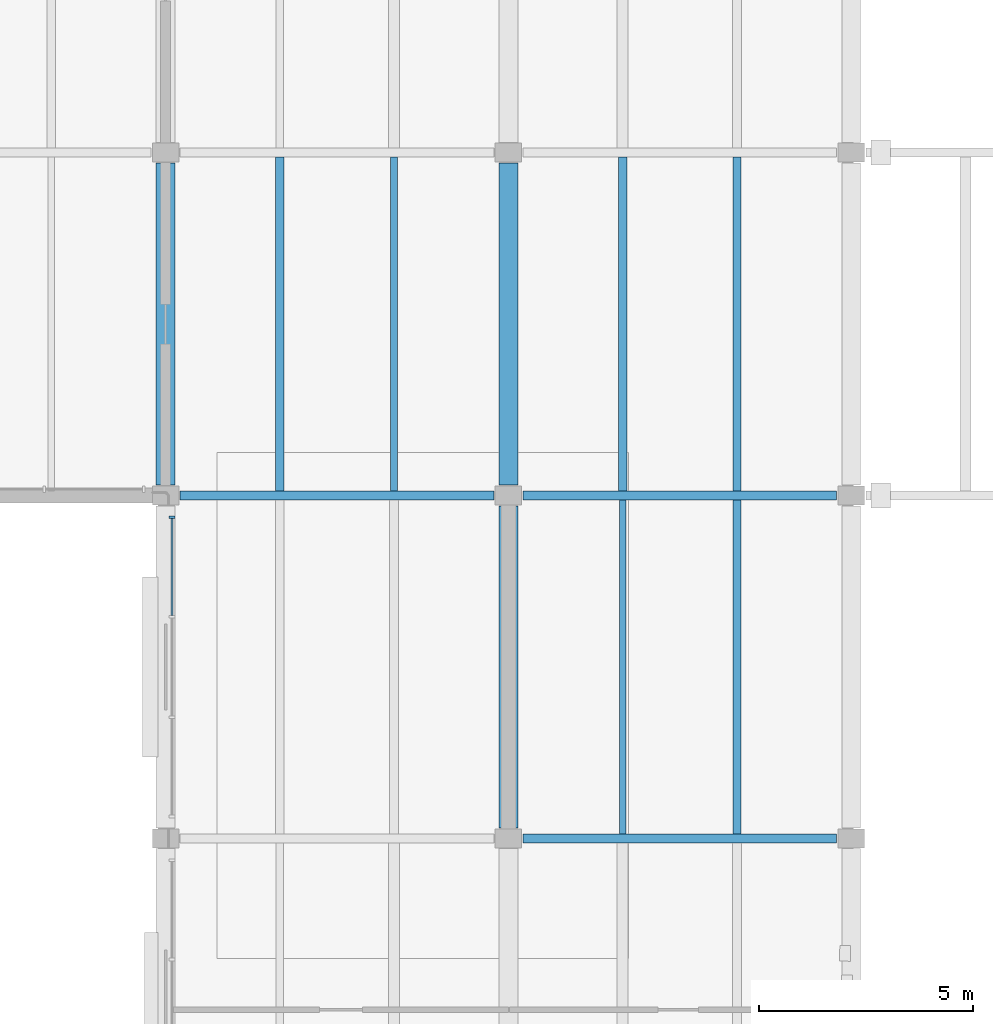
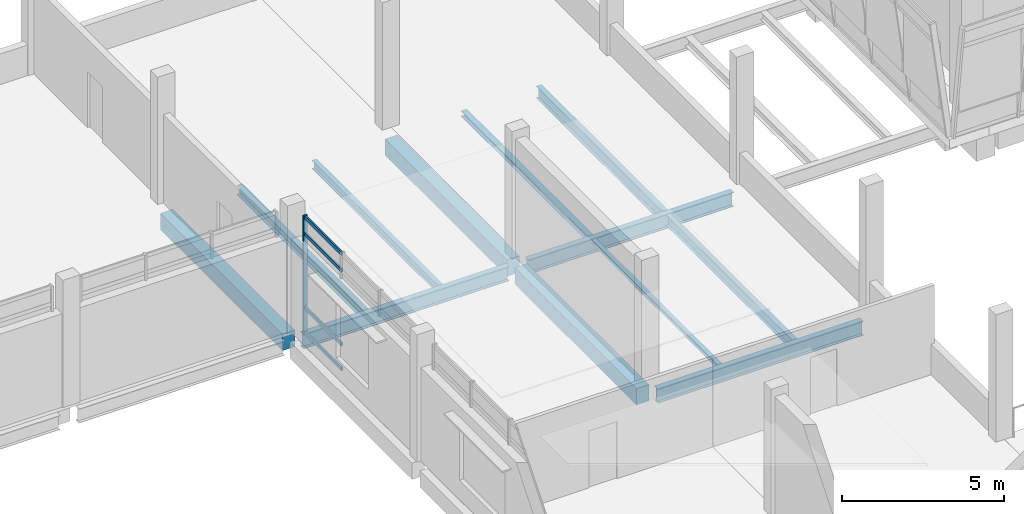
# One storey, part 8 of 52: 12 beams, 5 members, 1 element without a shape of its own.
"""IFC4 building model written with IfcOpenShell, lengths in metres."""

import ifcopenshell
import ifcopenshell.guid

model = None  # the IFC model being written
_history = None  # IfcOwnerHistory: only IFC2X3 demands one
_inside = {}  # id of a spatial element -> (the spatial element, [elements in it])
_under = {}  # id of a project, library or spatial element -> (it, [spatial elements below it])
_declared = {}  # id of a project -> (the project, [libraries it declares])
_typed = {}  # id of a type object -> (the type object, [elements of that type])
_made_of = {}  # id of a material, layer set ... -> (it, [elements and type objects made of it])


def new_model(schema):
    """Start an empty IFC model of exactly this schema.

    Asked for "IFC4X3", IfcOpenShell would pick the latest addendum, in which some entities
    have other attributes; the version numbers below select the first issue.
    IFC2X3 requires an IfcOwnerHistory on every rooted entity: one is made here for all.
    """
    global model, _history
    if schema == "IFC4X3":
        model = ifcopenshell.file(schema_version=(4, 3, 0, 0))
    else:
        model = ifcopenshell.file(schema=schema)
    _inside.clear()
    _under.clear()
    _declared.clear()
    _typed.clear()
    _made_of.clear()
    _history = None
    if model.schema == "IFC2X3":
        org = make("IfcOrganization", Name="unknown")
        user = make(
            "IfcPersonAndOrganization",
            ThePerson=make("IfcPerson", FamilyName="unknown"),
            TheOrganization=org,
        )
        app = make(
            "IfcApplication",
            ApplicationDeveloper=org,
            Version="unknown",
            ApplicationFullName="unknown",
            ApplicationIdentifier="unknown",
        )
        _history = make(
            "IfcOwnerHistory",
            OwningUser=user,
            OwningApplication=app,
            ChangeAction="ADDED",
            CreationDate=0,
        )
    return model


def make(cls, **values):
    """One entity of the class cls with the attributes given. An attribute that is None is left unset."""
    return model.create_entity(
        cls, **{name: value for name, value in values.items() if value is not None}
    )


def rooted(cls, **values):
    """An entity with a GlobalId (a new one), such as an element, a storey or a relation."""
    return make(cls, GlobalId=ifcopenshell.guid.new(), OwnerHistory=_history, **values)


def si_unit(unit_type, name, prefix=None):
    """IfcSIUnit, for example si_unit("LENGTHUNIT", "METRE", prefix="MILLI")."""
    return make("IfcSIUnit", UnitType=unit_type, Prefix=prefix, Name=name)


def assignment(units):
    """IfcUnitAssignment: the units of a project."""
    return None if units is None else make("IfcUnitAssignment", Units=units)


def point(xyz):
    """IfcCartesianPoint."""
    return None if xyz is None else make("IfcCartesianPoint", Coordinates=xyz)


def direction(xyz):
    """IfcDirection."""
    return None if xyz is None else make("IfcDirection", DirectionRatios=xyz)


def frame(location, z_axis=None, x_axis=None):
    """IfcAxis2Placement3D, a coordinate frame: its origin and axes. An axis left out is left unset."""
    return make(
        "IfcAxis2Placement3D",
        Location=point(location),
        Axis=direction(z_axis),
        RefDirection=direction(x_axis),
    )


def frame_2d(location, x_axis=None):
    """IfcAxis2Placement2D, a coordinate frame in the plane: its origin and x axis."""
    return make(
        "IfcAxis2Placement2D", Location=point(location), RefDirection=direction(x_axis)
    )


def origin():
    """The frame at (0, 0, 0) with its axes left unset."""
    return frame((0.0, 0.0, 0.0))


def origin_2d():
    """The frame at (0, 0) in the plane with its x axis left unset."""
    return frame_2d((0.0, 0.0))


def place(relative_to, where):
    """IfcLocalPlacement: puts the frame where relative to a parent placement (None: the world)."""
    return make(
        "IfcLocalPlacement", PlacementRelTo=relative_to, RelativePlacement=where
    )


def context(
    kind, dimensions, precision=None, world=None, true_north=None, identifier=None
):
    """IfcGeometricRepresentationContext, for example the 3D "Model" context."""
    return make(
        "IfcGeometricRepresentationContext",
        ContextIdentifier=identifier,
        ContextType=kind,
        CoordinateSpaceDimension=dimensions,
        Precision=precision,
        WorldCoordinateSystem=world,
        TrueNorth=true_north,
    )


def subcontext(parent, identifier, kind, view, scale=None):
    """IfcGeometricRepresentationSubContext, for example "Body" below "Model"."""
    return make(
        "IfcGeometricRepresentationSubContext",
        ContextIdentifier=identifier,
        ContextType=kind,
        ParentContext=parent,
        TargetScale=scale,
        TargetView=view,
    )


def project(units=None, contexts=None):
    """IfcProject with its units and contexts."""
    return rooted(
        "IfcProject",
        Name="project",
        RepresentationContexts=contexts,
        UnitsInContext=assignment(units),
    )


def spatial(cls, under=None, at=None, **own):
    """A site, building, storey or space (cls), placed at a placement, below another one or the project."""
    s = rooted(cls, ObjectPlacement=at, **own)
    if under is not None:
        _under.setdefault(under.id(), (under, []))[1].append(s)
    return s


def profile(cls, at=None, kind="AREA", **sizes):
    """A parametric profile (cls). Its sizes go by their IFC names, for example OverallWidth=200.0."""
    return make(cls, ProfileType=kind, Position=at, **sizes)


def rectangle(**sizes):
    """IfcRectangleProfileDef."""
    return profile("IfcRectangleProfileDef", **sizes)


def i_section(**sizes):
    """IfcIShapeProfileDef."""
    return profile("IfcIShapeProfileDef", **sizes)


def extrude(swept, where, along, depth):
    """IfcExtrudedAreaSolid: the profile swept, set in the frame where, extruded along a direction by depth."""
    return make(
        "IfcExtrudedAreaSolid",
        SweptArea=swept,
        Position=where,
        ExtrudedDirection=direction(along),
        Depth=depth,
    )


def shape(context_of_items, identifier, shape_type, items):
    """IfcShapeRepresentation: the items that make up one representation, for example the "Body"."""
    return make(
        "IfcShapeRepresentation",
        ContextOfItems=context_of_items,
        RepresentationIdentifier=identifier,
        RepresentationType=shape_type,
        Items=items,
    )


def material(Name=None, Category=None):
    """IfcMaterial."""
    return make("IfcMaterial", Name=Name, Category=Category)


def material_profile(
    of_material, cross_section, Name=None, Category=None, Priority=None
):
    """IfcMaterialProfile: a cross section and its material."""
    return make(
        "IfcMaterialProfile",
        Name=Name,
        Material=of_material,
        Profile=cross_section,
        Priority=Priority,
        Category=Category,
    )


def profile_set(profiles, Name=None, composite=None):
    """IfcMaterialProfileSet."""
    return make(
        "IfcMaterialProfileSet",
        Name=Name,
        MaterialProfiles=profiles,
        CompositeProfile=composite,
    )


def made_of(thing, what):
    """Note that an element or type object is made of a material, layer set ...; save() writes the relation."""
    if what is not None:
        _made_of.setdefault(what.id(), (what, []))[1].append(thing)
    return thing


def type_object(cls, material=None, **own):
    """A type object (cls), such as IfcWallType, which elements share."""
    return made_of(rooted(cls, **own), material)


def element(
    cls,
    number,
    at=None,
    inside=None,
    cuts=None,
    type_object=None,
    material=None,
    context=None,
    identifier="Body",
    shape_type=None,
    held_by="IfcProductDefinitionShape",
    body=None,
    shapes=None,
    **own,
):
    """One element of the class cls, such as IfcWall. Its Tag is "e" and its number.

    at: its placement. inside: the storey or other place that contains it. cuts: it is an
    opening in that element (IfcRelVoidsElement). A single representation is given by context,
    identifier, shape_type and body (its items); several are given by shapes. held_by: the class
    of the entity that holds the representations. save() writes the other relations.
    """
    e = rooted(cls, Tag="e%d" % number, ObjectPlacement=at, **own)
    if body is not None:
        shapes = [shape(context, identifier, shape_type, body)]
    if shapes is not None:
        e.Representation = make(held_by, Representations=shapes)
    if inside is not None:
        _inside.setdefault(inside.id(), (inside, []))[1].append(e)
    if cuts is not None:
        rooted(
            "IfcRelVoidsElement", RelatingBuildingElement=cuts, RelatedOpeningElement=e
        )
    if type_object is not None:
        _typed.setdefault(type_object.id(), (type_object, []))[1].append(e)
    return made_of(e, material)


def aggregate(whole, parts):
    """IfcRelAggregates: a whole, such as a stair, and the parts it consists of."""
    return rooted("IfcRelAggregates", RelatingObject=whole, RelatedObjects=parts)


def save(model, path):
    """Write the relations noted so far, then the file.

    IfcRelAggregates (storeys below a building ...), IfcRelContainedInSpatialStructure (elements
    in a storey), IfcRelDefinesByType, IfcRelAssociatesMaterial and IfcRelDeclares: one each for
    every whole, place, type object, material and project.
    """
    for whole, parts in _under.values():
        aggregate(whole, parts)
    for where, things in _inside.values():
        rooted(
            "IfcRelContainedInSpatialStructure",
            RelatedElements=things,
            RelatingStructure=where,
        )
    for kind, things in _typed.values():
        rooted("IfcRelDefinesByType", RelatedObjects=things, RelatingType=kind)
    for what, things in _made_of.values():
        rooted("IfcRelAssociatesMaterial", RelatedObjects=things, RelatingMaterial=what)
    for by, libraries in _declared.values():
        rooted("IfcRelDeclares", RelatingContext=by, RelatedDefinitions=libraries)
    model.write(path)


model = new_model("IFC4")

# Units and contexts
model_context = context("Model", 3, precision=1e-05, world=origin(), true_north=direction((0.0, 1.0)))
body_context = subcontext(model_context, "Body", "Model", "MODEL_VIEW")
ifc_project = project(units=[si_unit("LENGTHUNIT", "METRE"), si_unit("AREAUNIT", "SQUARE_METRE"), si_unit("VOLUMEUNIT", "CUBIC_METRE"), si_unit("PLANEANGLEUNIT", "RADIAN"), si_unit("MASSUNIT", "GRAM", prefix="KILO")], contexts=[model_context])

# Site, building, storey
site_placement = place(None, origin())
site = spatial("IfcSite", under=ifc_project, at=site_placement, CompositionType="ELEMENT")
building_placement = place(site_placement, origin())
building = spatial("IfcBuilding", under=site, at=building_placement, Name="Pecanmere Concourse Central Library", CompositionType="ELEMENT")
storey_placement = place(building_placement, frame((0.0, 0.0, 10.5)))
storey = spatial("IfcBuildingStorey", under=building, at=storey_placement, Name="L03", CompositionType="ELEMENT", Elevation=10.5)

# Curtain wall, members
ifc_material_1 = material(Name="Clear anodized aluminium alloy 6063-T6", Category="aluminium")
curtain_wall_type = type_object("IfcCurtainWallType", Name="CW_CLOISTER_GLAZ", PredefinedType="USERDEFINED", material=ifc_material_1)
curtain_wall_placement = place(storey_placement, origin())
curtain_wall = element("IfcCurtainWall", 1, at=curtain_wall_placement, inside=storey, type_object=curtain_wall_type, Name="Unitised Curtain Wall CW-04 L03-134", ObjectType="UNITISED CURTAIN WALL", PredefinedType="USERDEFINED")
ifc_material_2 = material(Name="Clear anodized aluminium alloy 6063-T6", Category="aluminium")
ifc_material_profile_1 = material_profile(ifc_material_2, rectangle(XDim=0.06005859375, YDim=0.14990234375, at=origin_2d()), Name="AL 60x150")
ifc_profile_set_1 = profile_set([ifc_material_profile_1], Name="Clear anodized aluminium alloy 6063-T6")
member_type_1 = type_object("IfcMemberType", Name="CWM_150x60", PredefinedType="MULLION", material=ifc_profile_set_1)
member_1_placement = place(storey_placement, frame((48.14990234375, 89.489990234375, 0.0), z_axis=(0.0, 0.0, 1.0), x_axis=(0.0, -1.0, 0.0)))
member_1 = element("IfcMember", 2, at=member_1_placement, type_object=member_type_1, Name="CW-04 Mullion 1", PredefinedType="MULLION", context=body_context, shape_type="SweptSolid", body=[
    extrude(rectangle(XDim=0.06005859375, YDim=0.14990234375, at=origin_2d()), origin(), (0.0, 0.0, 1.0), 4.47998046875),
])
ifc_material_3 = material(Name="Clear anodized aluminium alloy 6063-T6", Category="aluminium")
ifc_material_profile_2 = material_profile(ifc_material_3, rectangle(XDim=0.054931640625, YDim=0.139892578125, at=origin_2d()), Name="AL 55x140")
ifc_profile_set_2 = profile_set([ifc_material_profile_2], Name="Clear anodized aluminium alloy 6063-T6")
member_type_2 = type_object("IfcMemberType", Name="CWT_140x55", PredefinedType="USERDEFINED", material=ifc_profile_set_2)
member_2_placement = place(storey_placement, frame((48.14990234375, 89.4599609375, 0.070068359375), z_axis=(0.0, -1.0, 0.0), x_axis=(1.0, 0.0, 0.0)))
member_2 = element("IfcMember", 3, at=member_2_placement, type_object=member_type_2, Name="CW-04 Transom 1.1", ObjectType="TRANSOM", PredefinedType="USERDEFINED", context=body_context, shape_type="SweptSolid", body=[
    extrude(rectangle(XDim=0.054931640625, YDim=0.139892578125, at=origin_2d()), origin(), (0.0, 0.0, 1.0), 2.256591796875),
])
member_3_placement = place(storey_placement, frame((48.14990234375, 89.4599609375, 1.0), z_axis=(0.0, -1.0, 0.0), x_axis=(1.0, 0.0, 0.0)))
member_3 = element("IfcMember", 4, at=member_3_placement, type_object=member_type_2, Name="CW-04 Transom 1.2", ObjectType="TRANSOM", PredefinedType="USERDEFINED", context=body_context, shape_type="SweptSolid", body=[
    extrude(rectangle(XDim=0.054931640625, YDim=0.139892578125, at=origin_2d()), origin(), (0.0, 0.0, 1.0), 2.256591796875),
])
member_4_placement = place(storey_placement, frame((48.14990234375, 89.4599609375, 3.780029296875), z_axis=(0.0, -1.0, 0.0), x_axis=(1.0, 0.0, 0.0)))
member_4 = element("IfcMember", 5, at=member_4_placement, type_object=member_type_2, Name="CW-04 Transom 1.3", ObjectType="TRANSOM", PredefinedType="USERDEFINED", context=body_context, shape_type="SweptSolid", body=[
    extrude(rectangle(XDim=0.054931640625, YDim=0.139892578125, at=origin_2d()), origin(), (0.0, 0.0, 1.0), 2.256591796875),
])
member_5_placement = place(storey_placement, frame((48.14990234375, 89.4599609375, 4.409912109375), z_axis=(0.0, -1.0, 0.0), x_axis=(1.0, 0.0, 0.0)))
member_5 = element("IfcMember", 6, at=member_5_placement, type_object=member_type_2, Name="CW-04 Transom 1.4", ObjectType="TRANSOM", PredefinedType="USERDEFINED", context=body_context, shape_type="SweptSolid", body=[
    extrude(rectangle(XDim=0.054931640625, YDim=0.139892578125, at=origin_2d()), origin(), (0.0, 0.0, 1.0), 2.256591796875),
])
aggregate(curtain_wall, [member_1, member_2, member_3, member_4, member_5])

# Beams
ifc_material_4 = material(Name="Concrete C40/50", Category="concrete")
ifc_material_profile_3 = material_profile(ifc_material_4, rectangle(XDim=0.43994140625, YDim=0.6201171875, at=origin_2d()), Name="RC 440x620")
ifc_profile_set_3 = profile_set([ifc_material_profile_3], Name="Concrete C40/50")
beam_type_1 = type_object("IfcBeamType", Name="GRD_440x620", PredefinedType="USERDEFINED", material=ifc_profile_set_3)
for number, where, z_axis, x_axis, name in (
    (7, (48.0, 90.239990234375, -0.64990234375), (0.0, 1.0, 0.0), (-1.0, 0.0, 0.0), "Primary Girder Y L03-1706"),
    (8, (56.0, 82.239990234375, -0.64990234375), (0.0, 1.0, 0.0), (-1.0, 0.0, 0.0), "Primary Girder Y L03-1712"),
    (9, (56.0, 90.239990234375, -0.64990234375), (0.0, 1.0, 0.0), (-1.0, 0.0, 0.0), "Primary Girder Y L03-1713"),
):
    element("IfcBeam", number, at=place(storey_placement, frame(where, z_axis=z_axis, x_axis=x_axis)), inside=storey, type_object=beam_type_1, Name=name, ObjectType="GIRDER", PredefinedType="USERDEFINED", context=body_context, shape_type="SweptSolid", body=[
        extrude(rectangle(XDim=0.43994140625, YDim=0.6201171875, at=origin_2d()), origin(), (0.0, 0.0, 1.0), 7.52001953125),
    ])
ifc_material_5 = material(Name="Structural steel ASTM A992 Grade 50", Category="steel")
ifc_material_profile_4 = material_profile(ifc_material_5, i_section(OverallWidth=0.152099609375, OverallDepth=0.152099609375, WebThickness=0.005859375, FlangeThickness=0.006591796875, at=origin_2d()), Name="W150x22.5")
ifc_profile_set_4 = profile_set([ifc_material_profile_4], Name="Structural steel ASTM A992 Grade 50")
beam_type_2 = type_object("IfcBeamType", Name="SBM_W150x22", PredefinedType="LINTEL", material=ifc_profile_set_4)
beam_1_placement = place(storey_placement, frame((58.666748046875, 82.10546875, -0.416015625), z_axis=(0.0, 1.0, 0.0), x_axis=(-1.0, 0.0, 0.0)))
element("IfcBeam", 10, at=beam_1_placement, inside=storey, type_object=beam_type_2, Name="Secondary Floor Joist L03-1926", PredefinedType="LINTEL", context=body_context, shape_type="SweptSolid", body=[
    extrude(i_section(OverallWidth=0.152099609375, OverallDepth=0.152099609375, WebThickness=0.005859375, FlangeThickness=0.006591796875, at=origin_2d()), origin(), (0.0, 0.0, 1.0), 7.7890625),
])
ifc_material_6 = material(Name="Structural steel ASTM A992 Grade 50", Category="steel")
ifc_material_profile_5 = material_profile(ifc_material_6, i_section(OverallWidth=0.2041015625, OverallDepth=0.2060546875, WebThickness=0.0078125, FlangeThickness=0.0126953125, at=origin_2d()), Name="W200x52")
ifc_profile_set_5 = profile_set([ifc_material_profile_5], Name="Structural steel ASTM A992 Grade 50")
beam_type_3 = type_object("IfcBeamType", Name="SBM_W200x52", PredefinedType="JOIST", material=ifc_profile_set_5)
beam_2_placement = place(storey_placement, frame((58.666748046875, 90.10546875, -0.443115234375), z_axis=(0.0, 1.0, 0.0), x_axis=(-1.0, 0.0, 0.0)))
element("IfcBeam", 11, at=beam_2_placement, inside=storey, type_object=beam_type_3, Name="Secondary Floor Joist L03-1928", PredefinedType="JOIST", context=body_context, shape_type="SweptSolid", body=[
    extrude(i_section(OverallWidth=0.2041015625, OverallDepth=0.2060546875, WebThickness=0.0078125, FlangeThickness=0.0126953125, at=origin_2d()), origin(), (0.0, 0.0, 1.0), 7.7890625),
])
ifc_material_7 = material(Name="Structural steel ASTM A992 Grade 50", Category="steel")
ifc_material_profile_6 = material_profile(ifc_material_7, i_section(OverallWidth=0.1669921875, OverallDepth=0.31689453125, WebThickness=0.007568359375, FlangeThickness=0.01318359375, at=origin_2d()), Name="W310x52")
ifc_profile_set_6 = profile_set([ifc_material_profile_6], Name="Structural steel ASTM A992 Grade 50")
beam_type_4 = type_object("IfcBeamType", Name="SBM_W310x52", PredefinedType="JOIST", material=ifc_profile_set_6)
beam_3_placement = place(storey_placement, frame((53.333251953125, 90.10546875, -0.49853515625), z_axis=(0.0, 1.0, 0.0), x_axis=(-1.0, 0.0, 0.0)))
element("IfcBeam", 12, at=beam_3_placement, inside=storey, type_object=beam_type_4, Name="Secondary Floor Joist L03-1917", PredefinedType="JOIST", context=body_context, shape_type="SweptSolid", body=[
    extrude(i_section(OverallWidth=0.1669921875, OverallDepth=0.31689453125, WebThickness=0.007568359375, FlangeThickness=0.01318359375, at=origin_2d()), origin(), (0.0, 0.0, 1.0), 7.7890625),
])
ifc_material_8 = material(Name="Structural steel ASTM A992 Grade 50", Category="steel")
ifc_material_profile_7 = material_profile(ifc_material_8, i_section(OverallWidth=0.202880859375, OverallDepth=0.346923828125, WebThickness=0.0078125, FlangeThickness=0.013427734375, at=origin_2d()), Name="W360x64")
ifc_profile_set_7 = profile_set([ifc_material_profile_7], Name="Structural steel ASTM A992 Grade 50")
beam_type_5 = type_object("IfcBeamType", Name="SBM_W360x64", PredefinedType="JOIST", material=ifc_profile_set_7)
beam_4_placement = place(storey_placement, frame((50.666748046875, 90.10546875, -0.513427734375), z_axis=(0.0, 1.0, 0.0), x_axis=(-1.0, 0.0, 0.0)))
element("IfcBeam", 13, at=beam_4_placement, inside=storey, type_object=beam_type_5, Name="Secondary Floor Joist L03-1916", PredefinedType="JOIST", context=body_context, shape_type="SweptSolid", body=[
    extrude(i_section(OverallWidth=0.202880859375, OverallDepth=0.346923828125, WebThickness=0.0078125, FlangeThickness=0.013427734375, at=origin_2d()), origin(), (0.0, 0.0, 1.0), 7.7890625),
])
ifc_material_9 = material(Name="Structural steel ASTM A992 Grade 50", Category="steel")
ifc_material_profile_8 = material_profile(ifc_material_9, i_section(OverallWidth=0.177978515625, OverallDepth=0.406982421875, WebThickness=0.0078125, FlangeThickness=0.0126953125, at=origin_2d()), Name="W410x60")
ifc_profile_set_8 = profile_set([ifc_material_profile_8], Name="Structural steel ASTM A992 Grade 50")
beam_type_6 = type_object("IfcBeamType", Name="SBM_W410x60", PredefinedType="JOIST", material=ifc_profile_set_8)
beam_5_placement = place(storey_placement, frame((61.333251953125, 82.10546875, -0.54345703125), z_axis=(0.0, 1.0, 0.0), x_axis=(-1.0, 0.0, 0.0)))
element("IfcBeam", 14, at=beam_5_placement, inside=storey, type_object=beam_type_6, Name="Secondary Floor Joist L03-1927", PredefinedType="JOIST", context=body_context, shape_type="SweptSolid", body=[
    extrude(i_section(OverallWidth=0.177978515625, OverallDepth=0.406982421875, WebThickness=0.0078125, FlangeThickness=0.0126953125, at=origin_2d()), origin(), (0.0, 0.0, 1.0), 7.7890625),
])
ifc_material_10 = material(Name="Structural steel ASTM A992 Grade 50", Category="steel")
ifc_material_profile_9 = material_profile(ifc_material_10, i_section(OverallWidth=0.18994140625, OverallDepth=0.45703125, WebThickness=0.009033203125, FlangeThickness=0.014404296875, at=origin_2d()), Name="W460x74")
ifc_profile_set_9 = profile_set([ifc_material_profile_9], Name="Structural steel ASTM A992 Grade 50")
beam_type_7 = type_object("IfcBeamType", Name="SBM_W460x74", PredefinedType="BEAM", material=ifc_profile_set_9)
beam_6_placement = place(storey_placement, frame((61.333251953125, 90.10546875, -0.568603515625), z_axis=(0.0, 1.0, 0.0), x_axis=(-1.0, 0.0, 0.0)))
element("IfcBeam", 15, at=beam_6_placement, inside=storey, type_object=beam_type_7, Name="Secondary Floor Joist L03-1929", PredefinedType="BEAM", context=body_context, shape_type="SweptSolid", body=[
    extrude(i_section(OverallWidth=0.18994140625, OverallDepth=0.45703125, WebThickness=0.009033203125, FlangeThickness=0.014404296875, at=origin_2d()), origin(), (0.0, 0.0, 1.0), 7.7890625),
])
ifc_material_11 = material(Name="Structural steel ASTM A992 Grade 50", Category="steel")
ifc_material_profile_10 = material_profile(ifc_material_11, i_section(OverallWidth=0.2109375, OverallDepth=0.5390625, WebThickness=0.01171875, FlangeThickness=0.018798828125, at=origin_2d()), Name="W530x109")
ifc_profile_set_10 = profile_set([ifc_material_profile_10], Name="Structural steel ASTM A992 Grade 50")
beam_type_8 = type_object("IfcBeamType", Name="SBM_W530x109", PredefinedType="USERDEFINED", material=ifc_profile_set_10)
for number, where, z_axis, x_axis, name in (
    (16, (56.340087890625, 82.0, -0.609619140625), (1.0, 0.0, 0.0), (0.0, 1.0, 0.0), "Primary Girder X L03-1602"),
    (17, (48.340087890625, 90.0, -0.609619140625), (1.0, 0.0, 0.0), (0.0, 1.0, 0.0), "Primary Girder X L03-1609"),
    (18, (56.340087890625, 90.0, -0.609619140625), (1.0, 0.0, 0.0), (0.0, 1.0, 0.0), "Primary Girder X L03-1610"),
):
    element("IfcBeam", number, at=place(storey_placement, frame(where, z_axis=z_axis, x_axis=x_axis)), inside=storey, type_object=beam_type_8, Name=name, ObjectType="GIRDER", PredefinedType="USERDEFINED", context=body_context, shape_type="SweptSolid", body=[
        extrude(i_section(OverallWidth=0.2109375, OverallDepth=0.5390625, WebThickness=0.01171875, FlangeThickness=0.018798828125, at=origin_2d()), origin(), (0.0, 0.0, 1.0), 7.31982421875),
    ])

save(model, "model.ifc")
